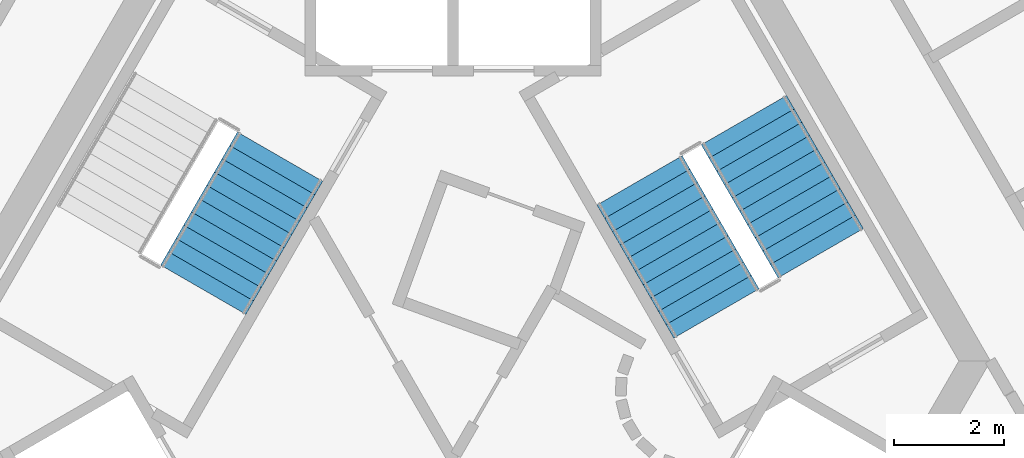
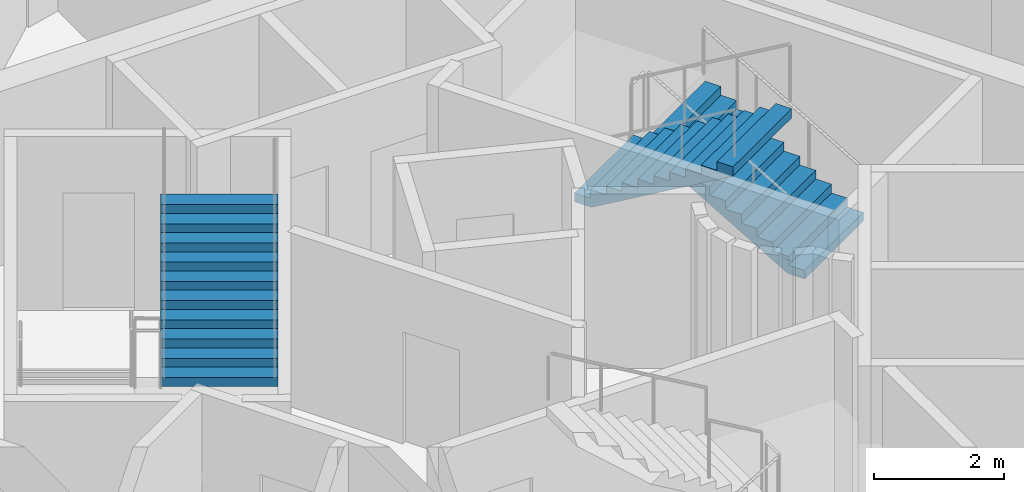
# One storey, part 8 of 9: 3 stair flights, 2 elements without a shape of their own.
"""IFC4 building model written with IfcOpenShell, lengths in metres."""

from ifc_helpers import new_model, si_unit, direction, frame, origin, place, context, subcontext, project, spatial, polyline, outline, extrude, material, type_object, element, aggregate, save


model = new_model("IFC4")

# Units and contexts
model_context = context("Model", 3, precision=1e-05, world=origin(), true_north=direction((0.0, 1.0)))
body_context = subcontext(model_context, "Body", "Model", "MODEL_VIEW")
ifc_project = project(units=[si_unit("LENGTHUNIT", "METRE"), si_unit("AREAUNIT", "SQUARE_METRE"), si_unit("VOLUMEUNIT", "CUBIC_METRE"), si_unit("PLANEANGLEUNIT", "RADIAN"), si_unit("MASSUNIT", "GRAM", prefix="KILO")], contexts=[model_context])

# Site, building, storey
site_placement = place(None, origin())
site = spatial("IfcSite", under=ifc_project, at=site_placement, CompositionType="ELEMENT")
building_placement = place(site_placement, origin())
building = spatial("IfcBuilding", under=site, at=building_placement, Name="Entoto Arch Interchange Tower", CompositionType="ELEMENT")
storey_placement = place(building_placement, frame((0.0, 0.0, 290.0)))
storey = spatial("IfcBuildingStorey", under=building, at=storey_placement, Name="L67", CompositionType="ELEMENT", Elevation=290.0)

# Stair, stair flights
ifc_material = material(Name="Concrete C40/50", Category="concrete")
stair_type = type_object("IfcStairType", Name="EXIT STAIR RC 1800", PredefinedType="HALF_TURN_STAIR", material=ifc_material)
stair_1_placement = place(storey_placement, origin())
stair_1 = element("IfcStair", 1, at=stair_1_placement, inside=storey, type_object=stair_type, Name="L67 Exit stair NE", PredefinedType="HALF_TURN_STAIR")
stair_flight_type = type_object("IfcStairFlightType", Name="EXIT STAIR FLIGHT RC 1800", PredefinedType="STRAIGHT", material=ifc_material)
stair_flight_1_placement = place(storey_placement, frame((6.7138671875, 4.470947265625, 0.0), z_axis=(0.0, 0.0, 1.0), x_axis=(-0.5, 0.866025403784, 0.0)))
stair_flight_1 = element("IfcStairFlight", 2, at=stair_flight_1_placement, type_object=stair_flight_type, Name="ST-NE flight 1", NumberOfRisers=11, NumberOfTreads=10, PredefinedType="STRAIGHT", RiserHeight=0.163636364, TreadLength=0.28, context=body_context, shape_type="SweptSolid", body=[
    extrude(outline(polyline([(-0.0029296875, 0.0), (-0.0029296875, 0.16357421875), (0.280029296875, 0.16357421875), (0.280029296875, 0.327392578125), (0.56005859375, 0.327392578125), (0.56005859375, 0.490966796875), (0.840087890625, 0.490966796875), (0.840087890625, 0.654541015625), (1.1201171875, 0.654541015625), (1.1201171875, 0.818115234375), (1.39990234375, 0.818115234375), (1.39990234375, 0.98193359375), (1.679931640625, 0.98193359375), (1.679931640625, 1.1455078125), (1.9599609375, 1.1455078125), (1.9599609375, 1.30908203125), (2.239990234375, 1.30908203125), (2.239990234375, 1.47265625), (2.52001953125, 1.47265625), (2.52001953125, 1.636474609375), (2.800048828125, 1.636474609375), (2.802978515625, 1.636474609375), (2.802978515625, 1.464599609375), (0.297119140625, 0.0), (-0.0029296875, 0.0)])), frame((0.0, 0.89990234375, 0.0), z_axis=(0.0, -1.0, 0.0), x_axis=(1.0, 0.0, 0.0)), (0.0, 0.0, 1.0), 1.800048828125),
])
stair_flight_2_placement = place(storey_placement, frame((3.40869140625, 5.7958984375, 1.800048828125), z_axis=(0.0, 0.0, 1.0), x_axis=(0.5, -0.866025403784, 0.0)))
stair_flight_2 = element("IfcStairFlight", 3, at=stair_flight_2_placement, type_object=stair_flight_type, Name="ST-NE flight 2", NumberOfRisers=11, NumberOfTreads=10, PredefinedType="STRAIGHT", RiserHeight=0.163636364, TreadLength=0.28, context=body_context, shape_type="SweptSolid", body=[
    extrude(outline(polyline([(-0.0029296875, 0.0), (-0.0029296875, 0.16357421875), (0.280029296875, 0.16357421875), (0.280029296875, 0.327392578125), (0.56005859375, 0.327392578125), (0.56005859375, 0.490966796875), (0.840087890625, 0.490966796875), (0.840087890625, 0.654541015625), (1.1201171875, 0.654541015625), (1.1201171875, 0.818115234375), (1.39990234375, 0.818115234375), (1.39990234375, 0.98193359375), (1.679931640625, 0.98193359375), (1.679931640625, 1.1455078125), (1.9599609375, 1.1455078125), (1.9599609375, 1.30908203125), (2.239990234375, 1.30908203125), (2.239990234375, 1.47265625), (2.52001953125, 1.47265625), (2.52001953125, 1.636474609375), (2.800048828125, 1.636474609375), (2.802978515625, 1.636474609375), (2.802978515625, 1.464599609375), (0.297119140625, 0.0), (-0.0029296875, 0.0)])), frame((0.0, 0.89990234375, 0.0), z_axis=(0.0, -1.0, 0.0), x_axis=(1.0, 0.0, 0.0)), (0.0, 0.0, 1.0), 1.800048828125),
])
aggregate(stair_1, [stair_flight_1, stair_flight_2])

# Stair, stair flight
stair_2_placement = place(storey_placement, origin())
stair_2 = element("IfcStair", 4, at=stair_2_placement, inside=storey, type_object=stair_type, Name="L67 Exit stair NW", PredefinedType="HALF_TURN_STAIR")
stair_flight_3_placement = place(storey_placement, frame((-4.558837890625, 3.803955078125, 1.800048828125), z_axis=(0.0, 0.0, 1.0), x_axis=(0.5, 0.866025403784, 0.0)))
stair_flight_3 = element("IfcStairFlight", 5, at=stair_flight_3_placement, type_object=stair_flight_type, Name="ST-NW flight 2", NumberOfRisers=11, NumberOfTreads=10, PredefinedType="STRAIGHT", RiserHeight=0.163636364, TreadLength=0.28, context=body_context, shape_type="SweptSolid", body=[
    extrude(outline(polyline([(-0.0029296875, 0.0), (-0.0029296875, 0.16357421875), (0.280029296875, 0.16357421875), (0.280029296875, 0.327392578125), (0.56005859375, 0.327392578125), (0.56005859375, 0.490966796875), (0.840087890625, 0.490966796875), (0.840087890625, 0.654541015625), (1.1201171875, 0.654541015625), (1.1201171875, 0.818115234375), (1.39990234375, 0.818115234375), (1.39990234375, 0.98193359375), (1.679931640625, 0.98193359375), (1.679931640625, 1.1455078125), (1.9599609375, 1.1455078125), (1.9599609375, 1.30908203125), (2.239990234375, 1.30908203125), (2.239990234375, 1.47265625), (2.52001953125, 1.47265625), (2.52001953125, 1.636474609375), (2.800048828125, 1.636474609375), (2.802978515625, 1.636474609375), (2.802978515625, 1.464599609375), (0.297119140625, 0.0), (-0.0029296875, 0.0)])), frame((0.0, 0.89990234375, 0.0), z_axis=(0.0, -1.0, 0.0), x_axis=(1.0, 0.0, 0.0)), (0.0, 0.0, 1.0), 1.800048828125),
])
aggregate(stair_2, [stair_flight_3])

save(model, "model.ifc")
